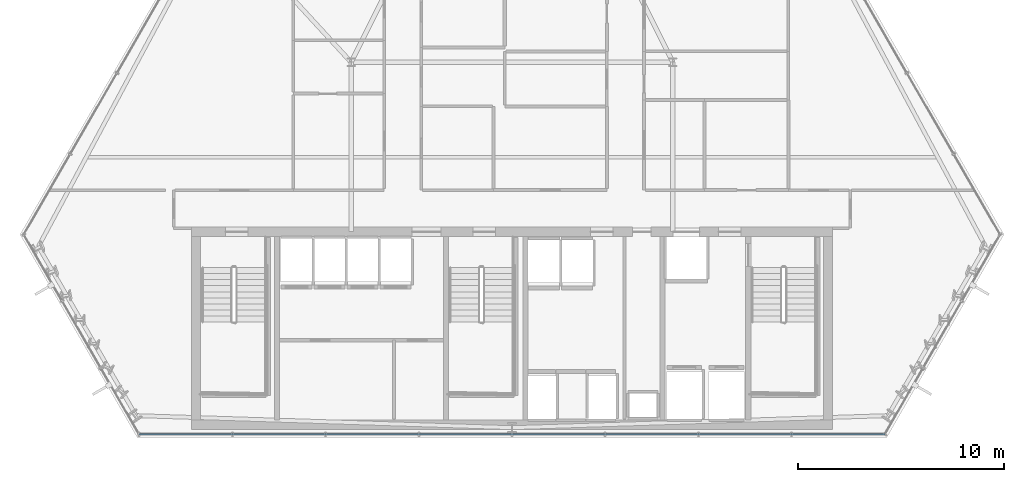
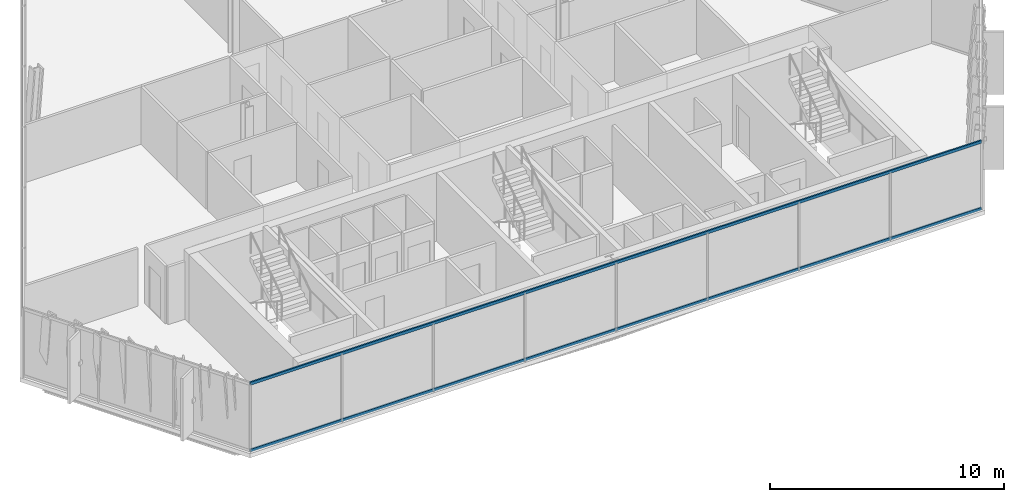
# One storey, part 8 of 32: 2 members, 1 element without a shape of its own.
"""IFC4 building model written with IfcOpenShell, lengths in metres."""

from ifc_helpers import new_model, si_unit, direction, frame, origin, origin_2d, place, context, subcontext, project, spatial, hollow_rectangle, extrude, material, layer, layer_set, material_profile, profile_set, type_object, element, aggregate, save


model = new_model("IFC4")

# Units and contexts
model_context = context("Model", 3, precision=1e-05, world=origin(), true_north=direction((0.0, 1.0)))
body_context = subcontext(model_context, "Body", "Model", "MODEL_VIEW")
ifc_project = project(units=[si_unit("LENGTHUNIT", "METRE"), si_unit("AREAUNIT", "SQUARE_METRE"), si_unit("VOLUMEUNIT", "CUBIC_METRE"), si_unit("PLANEANGLEUNIT", "RADIAN"), si_unit("MASSUNIT", "GRAM", prefix="KILO")], contexts=[model_context])

# Site, building, storey
site_placement = place(None, origin())
site = spatial("IfcSite", under=ifc_project, at=site_placement, CompositionType="ELEMENT")
building_placement = place(site_placement, origin())
building = spatial("IfcBuilding", under=site, at=building_placement, Name="Ndaravel Arena Tower", CompositionType="ELEMENT")
storey_placement = place(building_placement, frame((0.0, 0.0, 157.39990234375)))
storey = spatial("IfcBuildingStorey", under=building, at=storey_placement, Name="L37", CompositionType="ELEMENT", Elevation=157.39990234375)

# Curtain wall, members
ifc_material_1 = material(Name="Aluminium", Category="aluminium")
ifc_layer = layer(ifc_material_1, 0.179931640625)
ifc_layer_set = layer_set([ifc_layer], Name="Aluminium")
curtain_wall_type = type_object("IfcCurtainWallType", Name="CW-SYS-03", PredefinedType="NOTDEFINED", material=ifc_layer_set)
curtain_wall_placement = place(storey_placement, origin())
curtain_wall = element("IfcCurtainWall", 1, at=curtain_wall_placement, inside=storey, type_object=curtain_wall_type, Name="L37 Faceted Crystal Curtain Wall CW-L37-E01", PredefinedType="NOTDEFINED")
ifc_material_2 = material(Name="Aluminium", Category="aluminium")
ifc_material_profile = material_profile(ifc_material_2, hollow_rectangle(XDim=0.074951171875, YDim=0.14990234375, WallThickness=0.00390625, at=origin_2d()), Name="CW TRANSOM 75x150x4")
ifc_profile_set = profile_set([ifc_material_profile], Name="Aluminium")
member_type = type_object("IfcMemberType", Name="MEM-CW-TRN150", PredefinedType="USERDEFINED", material=ifc_profile_set)
member_1_placement = place(storey_placement, frame((23.92431640625, 5.159912109375, 0.0400390625), z_axis=(1.0, 0.0, 0.0), x_axis=(0.0, 1.0, 0.0)))
member_1 = element("IfcMember", 2, at=member_1_placement, type_object=member_type, Name="CW-L37-E01 Transom 01", ObjectType="TRANSOM", PredefinedType="USERDEFINED", context=body_context, shape_type="SweptSolid", body=[
    extrude(hollow_rectangle(XDim=0.074951171875, YDim=0.14990234375, WallThickness=0.00390625, at=origin_2d()), origin(), (0.0, 0.0, 1.0), 36.1513671875),
])
member_2_placement = place(storey_placement, frame((23.92431640625, 5.159912109375, 3.5400390625), z_axis=(1.0, 0.0, 0.0), x_axis=(0.0, 1.0, 0.0)))
member_2 = element("IfcMember", 3, at=member_2_placement, type_object=member_type, Name="CW-L37-E01 Transom 02", ObjectType="TRANSOM", PredefinedType="USERDEFINED", context=body_context, shape_type="SweptSolid", body=[
    extrude(hollow_rectangle(XDim=0.074951171875, YDim=0.14990234375, WallThickness=0.00390625, at=origin_2d()), origin(), (0.0, 0.0, 1.0), 36.1513671875),
])
aggregate(curtain_wall, [member_1, member_2])

save(model, "model.ifc")
